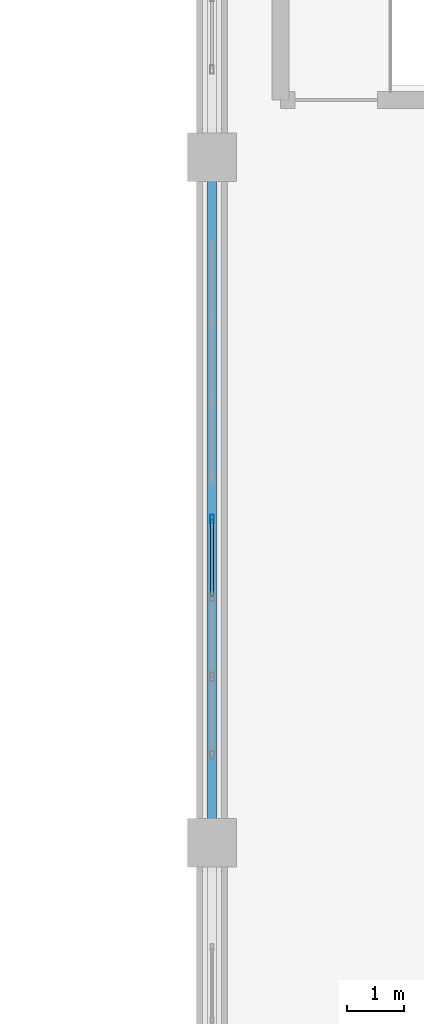
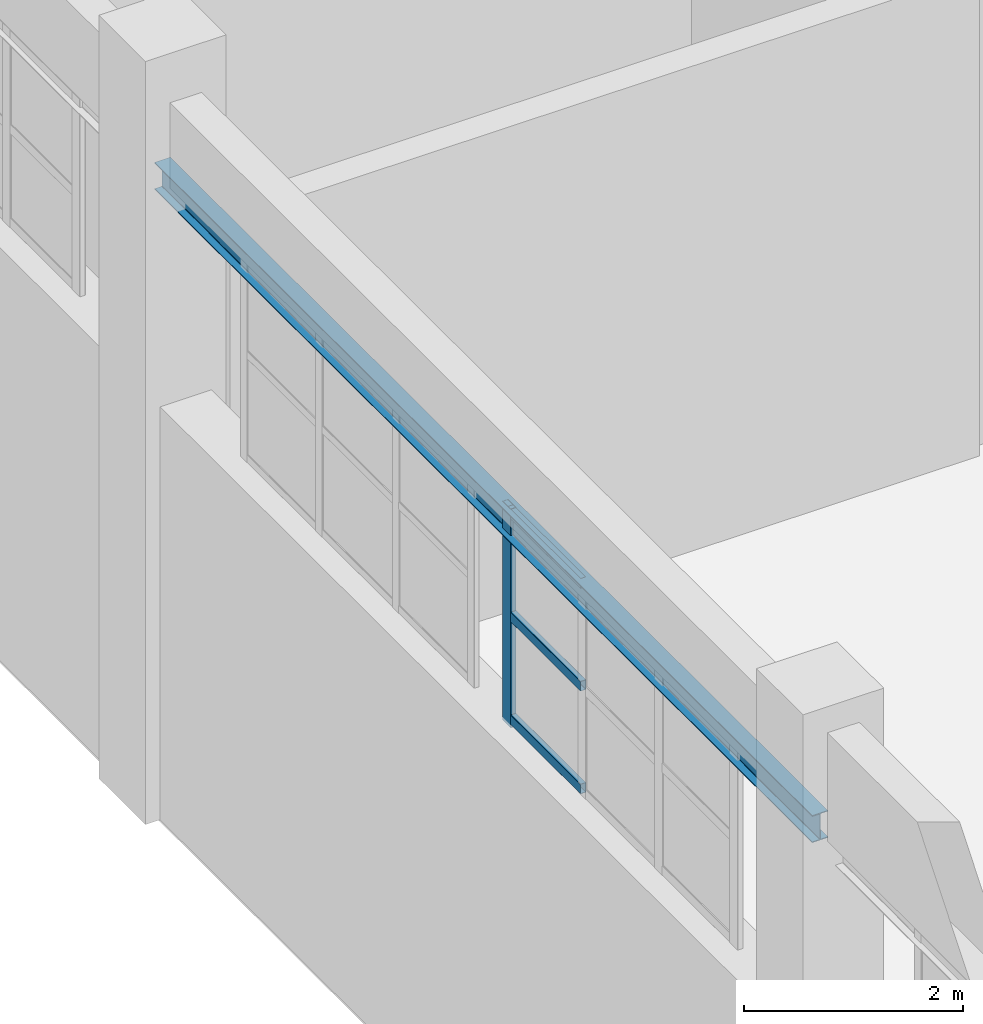
# One storey, part 37 of 97: 4 members, 1 beam, 1 element without a shape of its own.
"""IFC4 building model written with IfcOpenShell, lengths in metres."""

from ifc_helpers import new_model, si_unit, derived_unit, direction, frame, origin, origin_2d, place, context, subcontext, project, spatial, hollow_rectangle, i_section, extrude, material, layer, layer_set, material_profile, profile_set, type_object, element, aggregate, save


model = new_model("IFC4")

# Units and contexts
model_context = context("Model", 3, precision=1e-05, world=origin(), true_north=direction((0.0, 1.0)))
body_context = subcontext(model_context, "Body", "Model", "MODEL_VIEW")
ifc_project = project(units=[si_unit("LENGTHUNIT", "METRE"), si_unit("AREAUNIT", "SQUARE_METRE"), si_unit("VOLUMEUNIT", "CUBIC_METRE"), si_unit("PLANEANGLEUNIT", "RADIAN"), si_unit("MASSUNIT", "GRAM", prefix="KILO"), derived_unit("THERMALTRANSMITTANCEUNIT", [(si_unit("POWERUNIT", "WATT"), 1), (si_unit("LENGTHUNIT", "METRE"), -2), (si_unit("THERMODYNAMICTEMPERATUREUNIT", "KELVIN"), -1)])], contexts=[model_context])

# Site, building, storey
site_placement = place(None, origin())
site = spatial("IfcSite", under=ifc_project, at=site_placement, CompositionType="ELEMENT")
building_placement = place(site_placement, origin())
building = spatial("IfcBuilding", under=site, at=building_placement, Name="Almenara Railside Exhibition Hall", CompositionType="ELEMENT")
storey_placement = place(building_placement, frame((0.0, 0.0, 10.800048828125)))
storey = spatial("IfcBuildingStorey", under=building, at=storey_placement, Name="L02", CompositionType="ELEMENT", Elevation=10.800048828125)

# Curtain wall, members
ifc_material_1 = material(Name="Bronze-anodised aluminium and low-E double glazing", Category="aluminium")
ifc_layer = layer(ifc_material_1, 0.179931640625, Name="Bronze-anodised aluminium and low-E double glazing")
ifc_layer_set = layer_set([ifc_layer], Name="Bronze-anodised aluminium and low-E double glazing")
curtain_wall_type = type_object("IfcCurtainWallType", Name="West Hall Clerestory Curtain Wall 4200x2400", PredefinedType="NOTDEFINED", material=ifc_layer_set)
curtain_wall_placement = place(storey_placement, origin())
curtain_wall = element("IfcCurtainWall", 1, at=curtain_wall_placement, inside=storey, type_object=curtain_wall_type, Name="Curtain wall CW-CL1-009", PredefinedType="NOTDEFINED")
ifc_material_2 = material(Name="Bronze-anodised aluminium", Category="aluminium")
ifc_material_profile_1 = material_profile(ifc_material_2, hollow_rectangle(XDim=0.06005859375, YDim=0.14990234375, WallThickness=0.00341796875, InnerFilletRadius=0.00341796875, OuterFilletRadius=0.007080078125, at=origin_2d()), Name="ALU-MUL 60x150x3.5")
ifc_profile_set_1 = profile_set([ifc_material_profile_1], Name="Bronze-anodised aluminium")
member_type_1 = type_object("IfcMemberType", Name="Curtain Wall Mullion 60x150x3.5", PredefinedType="MULLION", material=ifc_profile_set_1)
member_1_placement = place(storey_placement, frame((12.0, 77.669921875, 4.56494140625), z_axis=(0.0, 0.0, 1.0), x_axis=(-1.0, 0.0, 0.0)))
member_1 = element("IfcMember", 2, at=member_1_placement, type_object=member_type_1, Name="CW-CL1-009 mullion 4", PredefinedType="MULLION", context=body_context, shape_type="SweptSolid", body=[
    extrude(hollow_rectangle(XDim=0.06005859375, YDim=0.14990234375, WallThickness=0.00341796875, InnerFilletRadius=0.00341796875, OuterFilletRadius=0.007080078125, at=origin_2d()), origin(), (0.0, 0.0, 1.0), 2.43505859375),
])
ifc_material_profile_2 = material_profile(ifc_material_2, hollow_rectangle(XDim=0.06005859375, YDim=0.110107421875, WallThickness=0.0029296875, InnerFilletRadius=0.0029296875, OuterFilletRadius=0.006103515625, at=origin_2d()), Name="ALU-TRN 60x110x3")
ifc_profile_set_2 = profile_set([ifc_material_profile_2], Name="Bronze-anodised aluminium")
member_type_2 = type_object("IfcMemberType", Name="Curtain Wall Transom 60x110x3", PredefinedType="USERDEFINED", material=ifc_profile_set_2)
member_2_placement = place(storey_placement, frame((12.0, 76.322021484375, 4.655029296875), z_axis=(0.0, 1.0, 0.0), x_axis=(-1.0, 0.0, 0.0)))
member_2 = element("IfcMember", 3, at=member_2_placement, type_object=member_type_2, Name="CW-CL1-009 transom 3.1", ObjectType="TRANSOM", PredefinedType="USERDEFINED", context=body_context, shape_type="SweptSolid", body=[
    extrude(hollow_rectangle(XDim=0.06005859375, YDim=0.110107421875, WallThickness=0.0029296875, InnerFilletRadius=0.0029296875, OuterFilletRadius=0.006103515625, at=origin_2d()), origin(), (0.0, 0.0, 1.0), 1.325927734375),
])
member_3_placement = place(storey_placement, frame((12.0, 76.322021484375, 5.800048828125), z_axis=(0.0, 1.0, 0.0), x_axis=(-1.0, 0.0, 0.0)))
member_3 = element("IfcMember", 4, at=member_3_placement, type_object=member_type_2, Name="CW-CL1-009 transom 3.2", ObjectType="TRANSOM", PredefinedType="USERDEFINED", context=body_context, shape_type="SweptSolid", body=[
    extrude(hollow_rectangle(XDim=0.06005859375, YDim=0.110107421875, WallThickness=0.0029296875, InnerFilletRadius=0.0029296875, OuterFilletRadius=0.006103515625, at=origin_2d()), origin(), (0.0, 0.0, 1.0), 1.325927734375),
])
member_4_placement = place(storey_placement, frame((12.0, 76.322021484375, 6.945068359375), z_axis=(0.0, 1.0, 0.0), x_axis=(-1.0, 0.0, 0.0)))
member_4 = element("IfcMember", 5, at=member_4_placement, type_object=member_type_2, Name="CW-CL1-009 transom 3.3", ObjectType="TRANSOM", PredefinedType="USERDEFINED", context=body_context, shape_type="SweptSolid", body=[
    extrude(hollow_rectangle(XDim=0.06005859375, YDim=0.110107421875, WallThickness=0.0029296875, InnerFilletRadius=0.0029296875, OuterFilletRadius=0.006103515625, at=origin_2d()), origin(), (0.0, 0.0, 1.0), 1.325927734375),
])
aggregate(curtain_wall, [member_1, member_2, member_3, member_4])

# Beam
ifc_material_3 = material(Name="Structural steel S355JR", Category="steel")
ifc_material_profile_3 = material_profile(ifc_material_3, i_section(OverallWidth=0.1650390625, OverallDepth=0.303466796875, WebThickness=0.006103515625, FlangeThickness=0.01025390625, FilletRadius=0.0087890625, at=origin_2d()), Name="UB 305x165x40")
ifc_profile_set_3 = profile_set([ifc_material_profile_3], Name="Structural steel S355JR")
beam_type = type_object("IfcBeamType", Name="Steel Canopy Edge Spandrel UB 305x165x40 S355JR", PredefinedType="SPANDREL", material=ifc_profile_set_3)
beam_placement = place(storey_placement, frame((12.0, 72.0, 6.84814453125), z_axis=(0.0, 1.0, 0.0), x_axis=(-1.0, 0.0, 0.0)))
element("IfcBeam", 6, at=beam_placement, inside=storey, type_object=beam_type, Name="BM-CRNLNT-V1-12-72", PredefinedType="SPANDREL", context=body_context, shape_type="SweptSolid", body=[
    extrude(i_section(OverallWidth=0.1650390625, OverallDepth=0.303466796875, WebThickness=0.006103515625, FlangeThickness=0.01025390625, FilletRadius=0.0087890625, at=origin_2d()), origin(), (0.0, 0.0, 1.0), 12.0),
])

save(model, "model.ifc")
